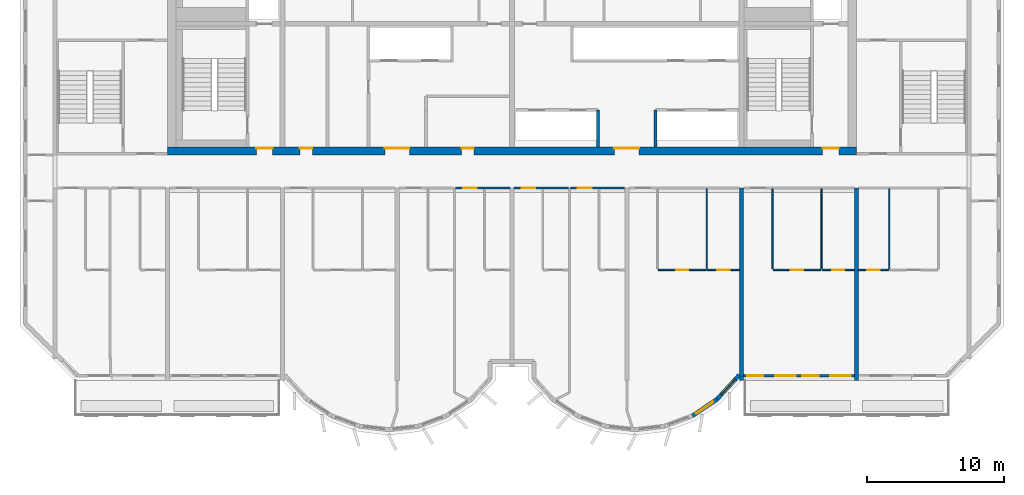
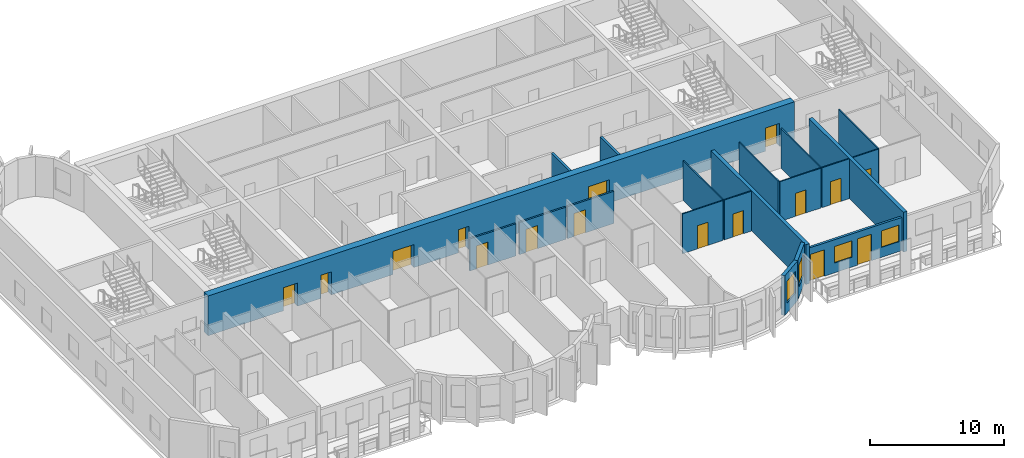
# One storey, part 5 of 11: 20 walls, 16 doors, 4 windows, 20 openings.
"""IFC4 building model written with IfcOpenShell, lengths in metres."""

from ifc_helpers import new_model, si_unit, direction, frame, frame_2d, origin, place, context, subcontext, project, spatial, rectangle, extrude, source, transform, mapped, material, layer, layer_set, type_object, element, fill, save


model = new_model("IFC4")

# Units and contexts
model_context = context("Model", 3, precision=1e-05, world=origin(), true_north=direction((0.0, 1.0)))
body_context = subcontext(model_context, "Body", "Model", "MODEL_VIEW")
ifc_project = project(units=[si_unit("LENGTHUNIT", "METRE"), si_unit("AREAUNIT", "SQUARE_METRE"), si_unit("VOLUMEUNIT", "CUBIC_METRE"), si_unit("PLANEANGLEUNIT", "RADIAN"), si_unit("MASSUNIT", "GRAM", prefix="KILO")], contexts=[model_context])

# Site, building, storey
site_placement = place(None, origin())
site = spatial("IfcSite", under=ifc_project, at=site_placement, CompositionType="ELEMENT")
building_placement = place(site_placement, origin())
building = spatial("IfcBuilding", under=site, at=building_placement, Name="Vanashikhar Sky Hotel", CompositionType="ELEMENT")
storey_placement = place(building_placement, frame((0.0, 0.0, 260.800048828125)))
storey = spatial("IfcBuildingStorey", under=building, at=storey_placement, Name="L63", CompositionType="ELEMENT", Elevation=260.800048828125)

# Wall, openings, doors
ifc_material_1 = material(Name="Concrete M60", Category="concrete")
ifc_layer_1 = layer(ifc_material_1, 0.60009765625)
ifc_layer_set_1 = layer_set([ifc_layer_1], Name="RC core shell wall 600 Concrete M60")
wall_type_1 = type_object("IfcWallType", Name="RC core shell wall 600 Concrete M60", PredefinedType="SHEAR", material=ifc_layer_set_1)
shared_shape_1 = source(origin(), body_context, "Body", "SweptSolid", [
    extrude(rectangle(XDim=50.400146484375, YDim=0.60009765625, at=frame_2d((25.2001953125, 0.0))), origin(), (0.0, 0.0, 1.0), 3.619873046875),
])
wall_1_placement = place(storey_placement, frame((25.199951171875, 22.300048828125, 0.0), z_axis=(0.0, 0.0, 1.0), x_axis=(1.0, 0.0, 0.0)))
wall_1 = element("IfcWall", 1, at=wall_1_placement, inside=storey, type_object=wall_type_1, Name="KW-L63-KS", PredefinedType="SHEAR", context=body_context, shape_type="MappedRepresentation", body=[
    mapped(shared_shape_1, transform((0.0, 0.0, 0.0), scale=1.0)),
])
shared_shape_2 = source(origin(), body_context, "Body", "SweptSolid", [
    extrude(rectangle(XDim=1.800048828125, YDim=2.10009765625, at=frame_2d((0.89990234375, 1.050048828125))), frame((0.0, 0.31005859375, 0.0), z_axis=(0.0, -1.0, 0.0), x_axis=(1.0, 0.0, 0.0)), (0.0, 0.0, 1.0), 0.6201171875),
])
opening_1_placement = place(wall_1_placement, frame((15.89990234375, 0.0, 0.0)))
opening_1 = element("IfcOpeningElement", 2, at=opening_1_placement, cuts=wall_1, Name="Opening DC-3-A", PredefinedType="OPENING", context=body_context, shape_type="MappedRepresentation", body=[
    mapped(shared_shape_2, transform((0.0, 0.0, 0.0), scale=1.0)),
])
shared_shape_3 = source(origin(), body_context, "Body", "SweptSolid", [
    extrude(rectangle(XDim=0.89990234375, YDim=2.10009765625, at=frame_2d((0.449951171875, 1.050048828125))), frame((0.0, 0.31005859375, 0.0), z_axis=(0.0, -1.0, 0.0), x_axis=(1.0, 0.0, 0.0)), (0.0, 0.0, 1.0), 0.6201171875),
])
opening_2_placement = place(wall_1_placement, frame((9.68701171875, 0.0, 0.0)))
opening_2 = element("IfcOpeningElement", 3, at=opening_2_placement, cuts=wall_1, Name="Opening DC-4-A", PredefinedType="OPENING", context=body_context, shape_type="MappedRepresentation", body=[
    mapped(shared_shape_3, transform((0.0, 0.0, 0.0), scale=1.0)),
])
opening_3_placement = place(wall_1_placement, frame((21.512939453125, 0.0, 0.0)))
opening_3 = element("IfcOpeningElement", 4, at=opening_3_placement, cuts=wall_1, Name="Opening DC-4-A", PredefinedType="OPENING", context=body_context, shape_type="MappedRepresentation", body=[
    mapped(shared_shape_3, transform((0.0, 0.0, 0.0), scale=1.0)),
])
opening_4_placement = place(wall_1_placement, frame((32.699951171875, 0.0, 0.0)))
opening_4 = element("IfcOpeningElement", 5, at=opening_4_placement, cuts=wall_1, Name="Opening DC-3-A", PredefinedType="OPENING", context=body_context, shape_type="MappedRepresentation", body=[
    mapped(shared_shape_2, transform((0.0, 0.0, 0.0), scale=1.0)),
])
shared_shape_4 = source(origin(), body_context, "Body", "SweptSolid", [
    extrude(rectangle(XDim=1.199951171875, YDim=2.10009765625, at=frame_2d((0.60009765625, 1.050048828125))), frame((0.0, 0.31005859375, 0.0), z_axis=(0.0, -1.0, 0.0), x_axis=(1.0, 0.0, 0.0)), (0.0, 0.0, 1.0), 0.6201171875),
])
opening_5_placement = place(wall_1_placement, frame((6.488037109375, 0.0, 0.0)))
opening_5 = element("IfcOpeningElement", 6, at=opening_5_placement, cuts=wall_1, Name="Opening DC-2", PredefinedType="OPENING", context=body_context, shape_type="MappedRepresentation", body=[
    mapped(shared_shape_4, transform((0.0, 0.0, 0.0), scale=1.0)),
])
opening_6_placement = place(wall_1_placement, frame((47.925048828125, 0.0, 0.0)))
opening_6 = element("IfcOpeningElement", 7, at=opening_6_placement, cuts=wall_1, Name="Opening DC-2", PredefinedType="OPENING", context=body_context, shape_type="MappedRepresentation", body=[
    mapped(shared_shape_4, transform((0.0, 0.0, 0.0), scale=1.0)),
])
ifc_material_2 = material(Name="Steel", Category="steel")
door_type_1 = type_object("IfcDoorType", Name="Firefighting lobby door 1200 FD120", OperationType="NOTDEFINED", PredefinedType="DOOR", material=ifc_material_2)
shared_shape_5 = source(origin(), body_context, "Body", "SweptSolid", [
    extrude(rectangle(XDim=1.199951171875, YDim=2.10009765625, at=frame_2d((0.60009765625, 1.050048828125))), frame((0.0, 0.22509765625, 0.0), z_axis=(0.0, -1.0, 0.0), x_axis=(1.0, 0.0, 0.0)), (0.0, 0.0, 1.0), 0.050048828125),
])
door_1_placement = place(opening_5_placement, origin())
door_1 = element("IfcDoor", 8, at=door_1_placement, inside=storey, type_object=door_type_1, Name="Firefighting lobby door 1200 FD120", OperationType="SINGLE_SWING_LEFT", OverallHeight=2.10009765625, OverallWidth=1.199951171875, PredefinedType="DOOR", context=body_context, shape_type="MappedRepresentation", body=[
    mapped(shared_shape_5, transform((0.0, 0.0, 0.0), scale=1.0)),
])
fill(opening_5, door_1)
door_2_placement = place(opening_6_placement, origin())
door_2 = element("IfcDoor", 9, at=door_2_placement, inside=storey, type_object=door_type_1, Name="Firefighting lobby door 1200 FD120", OperationType="SINGLE_SWING_LEFT", OverallHeight=2.10009765625, OverallWidth=1.199951171875, PredefinedType="DOOR", context=body_context, shape_type="MappedRepresentation", body=[
    mapped(shared_shape_5, transform((0.0, 0.0, 0.0), scale=1.0)),
])
fill(opening_6, door_2)
door_type_2 = type_object("IfcDoorType", Name="Service door 900 FD60", OperationType="NOTDEFINED", PredefinedType="DOOR", material=ifc_material_2)
shared_shape_6 = source(origin(), body_context, "Body", "SweptSolid", [
    extrude(rectangle(XDim=0.89990234375, YDim=2.10009765625, at=frame_2d((0.449951171875, 1.050048828125))), frame((0.0, 0.22509765625, 0.0), z_axis=(0.0, -1.0, 0.0), x_axis=(1.0, 0.0, 0.0)), (0.0, 0.0, 1.0), 0.050048828125),
])
door_3_placement = place(opening_2_placement, origin())
door_3 = element("IfcDoor", 10, at=door_3_placement, inside=storey, type_object=door_type_2, Name="Service door 900 FD60", OperationType="SINGLE_SWING_RIGHT", OverallHeight=2.10009765625, OverallWidth=0.89990234375, PredefinedType="DOOR", context=body_context, shape_type="MappedRepresentation", body=[
    mapped(shared_shape_6, transform((0.0, 0.0, 0.0), scale=1.0)),
])
fill(opening_2, door_3)
door_4_placement = place(opening_3_placement, origin())
door_4 = element("IfcDoor", 11, at=door_4_placement, inside=storey, type_object=door_type_2, Name="Service door 900 FD60", OperationType="SINGLE_SWING_LEFT", OverallHeight=2.10009765625, OverallWidth=0.89990234375, PredefinedType="DOOR", context=body_context, shape_type="MappedRepresentation", body=[
    mapped(shared_shape_6, transform((0.0, 0.0, 0.0), scale=1.0)),
])
fill(opening_3, door_4)
ifc_material_3 = material(Name="Glass", Category="glass")
door_type_3 = type_object("IfcDoorType", Name="Lift lobby entrance door 1800 FD30S", OperationType="NOTDEFINED", PredefinedType="DOOR", material=ifc_material_3)
shared_shape_7 = source(origin(), body_context, "Body", "SweptSolid", [
    extrude(rectangle(XDim=1.800048828125, YDim=2.10009765625, at=frame_2d((0.89990234375, 1.050048828125))), frame((0.0, 0.22509765625, 0.0), z_axis=(0.0, -1.0, 0.0), x_axis=(1.0, 0.0, 0.0)), (0.0, 0.0, 1.0), 0.050048828125),
])
door_5_placement = place(opening_1_placement, origin())
door_5 = element("IfcDoor", 12, at=door_5_placement, inside=storey, type_object=door_type_3, Name="Lift lobby entrance door 1800 FD30S", OperationType="DOUBLE_DOOR_SINGLE_SWING", OverallHeight=2.10009765625, OverallWidth=1.800048828125, PredefinedType="DOOR", context=body_context, shape_type="MappedRepresentation", body=[
    mapped(shared_shape_7, transform((0.0, 0.0, 0.0), scale=1.0)),
])
fill(opening_1, door_5)
door_6_placement = place(opening_4_placement, origin())
door_6 = element("IfcDoor", 13, at=door_6_placement, inside=storey, type_object=door_type_3, Name="Lift lobby entrance door 1800 FD30S", OperationType="DOUBLE_DOOR_SINGLE_SWING", OverallHeight=2.10009765625, OverallWidth=1.800048828125, PredefinedType="DOOR", context=body_context, shape_type="MappedRepresentation", body=[
    mapped(shared_shape_7, transform((0.0, 0.0, 0.0), scale=1.0)),
])
fill(opening_4, door_6)

# Walls
ifc_layer_2 = layer(ifc_material_1, 0.300048828125)
ifc_layer_set_2 = layer_set([ifc_layer_2], Name="RC shear wall 300 Concrete M60")
wall_type_2 = type_object("IfcWallType", Name="RC shear wall 300 Concrete M60", PredefinedType="SHEAR", material=ifc_layer_set_2)
shared_shape_8 = source(origin(), body_context, "Body", "SweptSolid", [
    extrude(rectangle(XDim=14.10009765625, YDim=0.300048828125, at=frame_2d((7.050048828125, 0.0))), origin(), (0.0, 0.0, 1.0), 3.619873046875),
])
for number, where, z_axis, x_axis, name in (
    (14, (67.199951171875, 5.5, 0.0), (0.0, 0.0, 1.0), (0.0, 1.0, 0.0), "CW-L63-XW09-1"),
    (15, (75.60009765625, 5.5, 0.0), (0.0, 0.0, 1.0), (0.0, 1.0, 0.0), "CW-L63-XW10-1"),
):
    element("IfcWall", number, at=place(storey_placement, frame(where, z_axis=z_axis, x_axis=x_axis)), inside=storey, type_object=wall_type_2, Name=name, PredefinedType="SHEAR", context=body_context, shape_type="MappedRepresentation", body=[
        mapped(shared_shape_8, transform((0.0, 0.0, 0.0), scale=1.0)),
    ])

# Wall, openings, windows, doors
ifc_material_4 = material(Name="Concrete M50", Category="concrete")
ifc_layer_3 = layer(ifc_material_4, 0.199951171875)
ifc_layer_set_3 = layer_set([ifc_layer_3], Name="Front window wall 200")
wall_type_3 = type_object("IfcWallType", Name="Front window wall 200", PredefinedType="SOLIDWALL", material=ifc_layer_set_3)
shared_shape_9 = source(origin(), body_context, "Body", "SweptSolid", [
    extrude(rectangle(XDim=8.099853515625, YDim=0.199951171875, at=frame_2d((4.0498046875, 0.0))), origin(), (0.0, 0.0, 1.0), 3.02001953125),
])
wall_2_placement = place(storey_placement, frame((67.35009765625, 5.85009765625, 0.0), z_axis=(0.0, 0.0, 1.0), x_axis=(1.0, 0.0, 0.0)))
wall_2 = element("IfcWall", 16, at=wall_2_placement, inside=storey, type_object=wall_type_3, Name="Front window wall", PredefinedType="SOLIDWALL", context=body_context, shape_type="MappedRepresentation", body=[
    mapped(shared_shape_9, transform((0.0, 0.0, 0.0), scale=1.0)),
])
shared_shape_10 = source(origin(), body_context, "Body", "SweptSolid", [
    extrude(rectangle(XDim=1.199951171875, YDim=2.39990234375, at=frame_2d((0.60009765625, 1.199951171875))), frame((0.0, 0.10986328125, 0.0), z_axis=(0.0, -1.0, 0.0), x_axis=(1.0, 0.0, 0.0)), (0.0, 0.0, 1.0), 0.219970703125),
])
opening_7_placement = place(wall_2_placement, frame((0.25, 0.0, 0.0)))
opening_7 = element("IfcOpeningElement", 17, at=opening_7_placement, cuts=wall_2, Name="Opening BD-03", PredefinedType="OPENING", context=body_context, shape_type="MappedRepresentation", body=[
    mapped(shared_shape_10, transform((0.0, 0.0, 0.0), scale=1.0)),
])
shared_shape_11 = source(origin(), body_context, "Body", "SweptSolid", [
    extrude(rectangle(XDim=1.5, YDim=1.5, at=frame_2d((0.75, 0.75))), frame((0.0, 0.10986328125, 0.0), z_axis=(0.0, -1.0, 0.0), x_axis=(1.0, 0.0, 0.0)), (0.0, 0.0, 1.0), 0.219970703125),
])
opening_8_placement = place(wall_2_placement, frame((2.300048828125, 0.0, 0.89990234375)))
opening_8 = element("IfcOpeningElement", 18, at=opening_8_placement, cuts=wall_2, Name="Opening WN-1", PredefinedType="OPENING", context=body_context, shape_type="MappedRepresentation", body=[
    mapped(shared_shape_11, transform((0.0, 0.0, 0.0), scale=1.0)),
])
opening_9_placement = place(wall_2_placement, frame((4.300048828125, 0.0, 0.0)))
opening_9 = element("IfcOpeningElement", 19, at=opening_9_placement, cuts=wall_2, Name="Opening BD-04", PredefinedType="OPENING", context=body_context, shape_type="MappedRepresentation", body=[
    mapped(shared_shape_10, transform((0.0, 0.0, 0.0), scale=1.0)),
])
opening_10_placement = place(wall_2_placement, frame((6.35009765625, 0.0, 0.89990234375)))
opening_10 = element("IfcOpeningElement", 20, at=opening_10_placement, cuts=wall_2, Name="Opening WN-1", PredefinedType="OPENING", context=body_context, shape_type="MappedRepresentation", body=[
    mapped(shared_shape_11, transform((0.0, 0.0, 0.0), scale=1.0)),
])
window_type_1 = type_object("IfcWindowType", Name="Window 1500 x 1500", PartitioningType="SINGLE_PANEL", PredefinedType="WINDOW", material=ifc_material_3)
shared_shape_12 = source(origin(), body_context, "Body", "SweptSolid", [
    extrude(rectangle(XDim=1.5, YDim=1.5, at=frame_2d((0.75, 0.75))), frame((0.0, 0.030029296875, 0.0), z_axis=(0.0, -1.0, 0.0), x_axis=(1.0, 0.0, 0.0)), (0.0, 0.0, 1.0), 0.06005859375),
])
window_1_placement = place(opening_8_placement, origin())
window_1 = element("IfcWindow", 21, at=window_1_placement, inside=storey, type_object=window_type_1, Name="Window WN-1", OverallHeight=1.5, OverallWidth=1.5, PartitioningType="SINGLE_PANEL", PredefinedType="WINDOW", context=body_context, shape_type="MappedRepresentation", body=[
    mapped(shared_shape_12, transform((0.0, 0.0, 0.0), scale=1.0)),
])
fill(opening_8, window_1)
window_2_placement = place(opening_10_placement, origin())
window_2 = element("IfcWindow", 22, at=window_2_placement, inside=storey, type_object=window_type_1, Name="Window WN-1", OverallHeight=1.5, OverallWidth=1.5, PartitioningType="SINGLE_PANEL", PredefinedType="WINDOW", context=body_context, shape_type="MappedRepresentation", body=[
    mapped(shared_shape_12, transform((0.0, 0.0, 0.0), scale=1.0)),
])
fill(opening_10, window_2)
ifc_material_5 = material(Name="Aluminium", Category="aluminium")
door_type_4 = type_object("IfcDoorType", Name="Balcony sliding door 1200 x 2400", OperationType="NOTDEFINED", PredefinedType="DOOR", material=ifc_material_5)
shared_shape_13 = source(origin(), body_context, "Body", "SweptSolid", [
    extrude(rectangle(XDim=1.199951171875, YDim=2.39990234375, at=frame_2d((0.60009765625, 1.199951171875))), frame((0.0, 0.02490234375, 0.0), z_axis=(0.0, -1.0, 0.0), x_axis=(1.0, 0.0, 0.0)), (0.0, 0.0, 1.0), 0.050048828125),
])
door_7_placement = place(opening_7_placement, origin())
door_7 = element("IfcDoor", 23, at=door_7_placement, inside=storey, type_object=door_type_4, Name="Balcony sliding door", OperationType="SLIDING_TO_LEFT", OverallHeight=2.39990234375, OverallWidth=1.199951171875, PredefinedType="DOOR", context=body_context, shape_type="MappedRepresentation", body=[
    mapped(shared_shape_13, transform((0.0, 0.0, 0.0), scale=1.0)),
])
fill(opening_7, door_7)
door_8_placement = place(opening_9_placement, origin())
door_8 = element("IfcDoor", 24, at=door_8_placement, inside=storey, type_object=door_type_4, Name="Balcony sliding door", OperationType="SLIDING_TO_RIGHT", OverallHeight=2.39990234375, OverallWidth=1.199951171875, PredefinedType="DOOR", context=body_context, shape_type="MappedRepresentation", body=[
    mapped(shared_shape_13, transform((0.0, 0.0, 0.0), scale=1.0)),
])
fill(opening_9, door_8)

# Wall, opening, window
ifc_layer_4 = layer(ifc_material_4, 0.300048828125)
ifc_layer_set_4 = layer_set([ifc_layer_4], Name="Lobe wall 300")
wall_type_4 = type_object("IfcWallType", Name="Lobe wall 300", PredefinedType="SOLIDWALL", material=ifc_layer_set_4)
shared_shape_14 = source(origin(), body_context, "Body", "SweptSolid", [
    extrude(rectangle(XDim=2.398193359375, YDim=0.300048828125, at=frame_2d((1.19921875, 0.0))), origin(), (0.0, 0.0, 1.0), 3.619873046875),
])
wall_3_placement = place(storey_placement, frame((65.404296875, 4.13134765625, 0.0), z_axis=(0.0, 0.0, 1.0), x_axis=(0.675374189419, 0.737475222815, 0.0)))
wall_3 = element("IfcWall", 25, at=wall_3_placement, inside=storey, type_object=wall_type_4, Name="Lobe wall", PredefinedType="SOLIDWALL", context=body_context, shape_type="MappedRepresentation", body=[
    mapped(shared_shape_14, transform((0.0, 0.0, 0.0), scale=1.0)),
])
shared_shape_15 = source(origin(), body_context, "Body", "SweptSolid", [
    extrude(rectangle(XDim=1.5, YDim=2.0, at=frame_2d((0.75, 1.0))), frame((0.0, 0.16015625, 0.0), z_axis=(0.0, -1.0, 0.0), x_axis=(1.0, 0.0, 0.0)), (0.0, 0.0, 1.0), 0.320068359375),
])
opening_11_placement = place(wall_3_placement, frame((0.44921875, 0.0, 0.89990234375)))
opening_11 = element("IfcOpeningElement", 26, at=opening_11_placement, cuts=wall_3, Name="Opening WN-2", PredefinedType="OPENING", context=body_context, shape_type="MappedRepresentation", body=[
    mapped(shared_shape_15, transform((0.0, 0.0, 0.0), scale=1.0)),
])
window_type_2 = type_object("IfcWindowType", Name="Lobe window 1500 x 2000", PartitioningType="SINGLE_PANEL", PredefinedType="WINDOW", material=ifc_material_3)
shared_shape_16 = source(origin(), body_context, "Body", "SweptSolid", [
    extrude(rectangle(XDim=1.5, YDim=2.0, at=frame_2d((0.75, 1.0))), frame((0.0, 0.030029296875, 0.0), z_axis=(0.0, -1.0, 0.0), x_axis=(1.0, 0.0, 0.0)), (0.0, 0.0, 1.0), 0.06005859375),
])
window_3_placement = place(opening_11_placement, origin())
window_3 = element("IfcWindow", 27, at=window_3_placement, inside=storey, type_object=window_type_2, Name="Window WN-2", OverallHeight=2.0, OverallWidth=1.5, PartitioningType="SINGLE_PANEL", PredefinedType="WINDOW", context=body_context, shape_type="MappedRepresentation", body=[
    mapped(shared_shape_16, transform((0.0, 0.0, 0.0), scale=1.0)),
])
fill(opening_11, window_3)

shared_shape_17 = source(origin(), body_context, "Body", "SweptSolid", [
    extrude(rectangle(XDim=2.17578125, YDim=0.300048828125, at=frame_2d((1.087890625, 0.0))), origin(), (0.0, 0.0, 1.0), 3.619873046875),
])
wall_4_placement = place(storey_placement, frame((63.59912109375, 2.91650390625, 0.0), z_axis=(0.0, 0.0, 1.0), x_axis=(0.829625727223, 0.558319937607, 0.0)))
wall_4 = element("IfcWall", 28, at=wall_4_placement, inside=storey, type_object=wall_type_4, Name="Lobe wall", PredefinedType="SOLIDWALL", context=body_context, shape_type="MappedRepresentation", body=[
    mapped(shared_shape_17, transform((0.0, 0.0, 0.0), scale=1.0)),
])
opening_12_placement = place(wall_4_placement, frame((0.337890625, 0.0, 0.89990234375)))
opening_12 = element("IfcOpeningElement", 29, at=opening_12_placement, cuts=wall_4, Name="Opening WN-2", PredefinedType="OPENING", context=body_context, shape_type="MappedRepresentation", body=[
    mapped(shared_shape_15, transform((0.0, 0.0, 0.0), scale=1.0)),
])
window_4_placement = place(opening_12_placement, origin())
window_4 = element("IfcWindow", 30, at=window_4_placement, inside=storey, type_object=window_type_2, Name="Window WN-2", OverallHeight=2.0, OverallWidth=1.5, PartitioningType="SINGLE_PANEL", PredefinedType="WINDOW", context=body_context, shape_type="MappedRepresentation", body=[
    mapped(shared_shape_16, transform((0.0, 0.0, 0.0), scale=1.0)),
])
fill(opening_12, window_4)

# Walls
ifc_material_6 = material(Name="Concrete M40", Category="concrete")
ifc_layer_5 = layer(ifc_material_6, 0.199951171875)
ifc_layer_set_5 = layer_set([ifc_layer_5], Name="Shaft wall 200")
wall_type_5 = type_object("IfcWallType", Name="Shaft wall 200", PredefinedType="SOLIDWALL", material=ifc_layer_set_5)
shared_shape_18 = source(origin(), body_context, "Body", "SweptSolid", [
    extrude(rectangle(XDim=2.699951171875, YDim=0.199951171875, at=frame_2d((1.35009765625, 0.0))), origin(), (0.0, 0.0, 1.0), 3.619873046875),
])
for number, where, z_axis, x_axis, name in (
    (31, (60.89990234375, 22.60009765625, 0.0), (0.0, 0.0, 1.0), (0.0, 1.0, 0.0), "Shaft wall 200"),
    (32, (56.699951171875, 22.60009765625, 0.0), (0.0, 0.0, 1.0), (0.0, 1.0, 0.0), "Shaft wall 200"),
):
    element("IfcWall", number, at=place(storey_placement, frame(where, z_axis=z_axis, x_axis=x_axis)), inside=storey, type_object=wall_type_5, Name=name, PredefinedType="SOLIDWALL", context=body_context, shape_type="MappedRepresentation", body=[
        mapped(shared_shape_18, transform((0.0, 0.0, 0.0), scale=1.0)),
    ])

# Wall, opening, door
ifc_material_7 = material(Name="Gypsum plasterboard partition")
ifc_layer_6 = layer(ifc_material_7, 0.14990234375)
ifc_layer_set_6 = layer_set([ifc_layer_6], Name="Corridor and demising partition 150")
wall_type_6 = type_object("IfcWallType", Name="Corridor and demising partition 150", PredefinedType="PARTITIONING", material=ifc_layer_set_6)
shared_shape_19 = source(origin(), body_context, "Body", "SweptSolid", [
    extrude(rectangle(XDim=3.97509765625, YDim=0.14990234375, at=frame_2d((1.987548828125, 0.0))), origin(), (0.0, 0.0, 1.0), 2.919921875),
])
wall_5_placement = place(storey_placement, frame((46.27490234375, 19.60009765625, 0.0), z_axis=(0.0, 0.0, 1.0), x_axis=(1.0, 0.0, 0.0)))
wall_5 = element("IfcWall", 33, at=wall_5_placement, inside=storey, type_object=wall_type_6, Name="W-L63-PW023", PredefinedType="PARTITIONING", context=body_context, shape_type="MappedRepresentation", body=[
    mapped(shared_shape_19, transform((0.0, 0.0, 0.0), scale=1.0)),
])
shared_shape_20 = source(origin(), body_context, "Body", "SweptSolid", [
    extrude(rectangle(XDim=1.0, YDim=2.10009765625, at=frame_2d((0.5, 1.050048828125))), frame((0.0, 0.0849609375, 0.0), z_axis=(0.0, -1.0, 0.0), x_axis=(1.0, 0.0, 0.0)), (0.0, 0.0, 1.0), 0.169921875),
])
opening_13_placement = place(wall_5_placement, frame((0.550048828125, 0.0, 0.0)))
opening_13 = element("IfcOpeningElement", 34, at=opening_13_placement, cuts=wall_5, Name="Opening D-01", PredefinedType="OPENING", context=body_context, shape_type="MappedRepresentation", body=[
    mapped(shared_shape_20, transform((0.0, 0.0, 0.0), scale=1.0)),
])
ifc_material_8 = material(Name="Timber fire door", Category="wood")
door_type_5 = type_object("IfcDoorType", Name="Guest entry door 1000 FD30S", OperationType="NOTDEFINED", PredefinedType="DOOR", material=ifc_material_8)
shared_shape_21 = source(origin(), body_context, "Body", "SweptSolid", [
    extrude(rectangle(XDim=1.0, YDim=2.10009765625, at=frame_2d((0.5, 1.050048828125))), frame((0.0, 0.02490234375, 0.0), z_axis=(0.0, -1.0, 0.0), x_axis=(1.0, 0.0, 0.0)), (0.0, 0.0, 1.0), 0.050048828125),
])
door_9_placement = place(opening_13_placement, origin())
door_9 = element("IfcDoor", 35, at=door_9_placement, inside=storey, type_object=door_type_5, Name="D-L63-014", OperationType="SINGLE_SWING_LEFT", OverallHeight=2.10009765625, OverallWidth=1.0, PredefinedType="DOOR", context=body_context, shape_type="MappedRepresentation", body=[
    mapped(shared_shape_21, transform((0.0, 0.0, 0.0), scale=1.0)),
])
fill(opening_13, door_9)

shared_shape_22 = source(origin(), body_context, "Body", "SweptSolid", [
    extrude(rectangle(XDim=3.974853515625, YDim=0.14990234375, at=frame_2d((1.9873046875, 0.0))), origin(), (0.0, 0.0, 1.0), 2.919921875),
])
wall_6_placement = place(storey_placement, frame((50.550048828125, 19.60009765625, 0.0), z_axis=(0.0, 0.0, 1.0), x_axis=(1.0, 0.0, 0.0)))
wall_6 = element("IfcWall", 36, at=wall_6_placement, inside=storey, type_object=wall_type_6, Name="W-L63-PW027", PredefinedType="PARTITIONING", context=body_context, shape_type="MappedRepresentation", body=[
    mapped(shared_shape_22, transform((0.0, 0.0, 0.0), scale=1.0)),
])
opening_14_placement = place(wall_6_placement, frame((0.550048828125, 0.0, 0.0)))
opening_14 = element("IfcOpeningElement", 37, at=opening_14_placement, cuts=wall_6, Name="Opening D-01", PredefinedType="OPENING", context=body_context, shape_type="MappedRepresentation", body=[
    mapped(shared_shape_20, transform((0.0, 0.0, 0.0), scale=1.0)),
])
door_10_placement = place(opening_14_placement, origin())
door_10 = element("IfcDoor", 38, at=door_10_placement, inside=storey, type_object=door_type_5, Name="D-L63-016", OperationType="SINGLE_SWING_LEFT", OverallHeight=2.10009765625, OverallWidth=1.0, PredefinedType="DOOR", context=body_context, shape_type="MappedRepresentation", body=[
    mapped(shared_shape_21, transform((0.0, 0.0, 0.0), scale=1.0)),
])
fill(opening_14, door_10)

wall_7_placement = place(storey_placement, frame((54.675048828125, 19.60009765625, 0.0), z_axis=(0.0, 0.0, 1.0), x_axis=(1.0, 0.0, 0.0)))
wall_7 = element("IfcWall", 39, at=wall_7_placement, inside=storey, type_object=wall_type_6, Name="W-L63-PW030", PredefinedType="PARTITIONING", context=body_context, shape_type="MappedRepresentation", body=[
    mapped(shared_shape_22, transform((0.0, 0.0, 0.0), scale=1.0)),
])
opening_15_placement = place(wall_7_placement, frame((0.550048828125, 0.0, 0.0)))
opening_15 = element("IfcOpeningElement", 40, at=opening_15_placement, cuts=wall_7, Name="Opening D-01", PredefinedType="OPENING", context=body_context, shape_type="MappedRepresentation", body=[
    mapped(shared_shape_20, transform((0.0, 0.0, 0.0), scale=1.0)),
])
door_11_placement = place(opening_15_placement, origin())
door_11 = element("IfcDoor", 41, at=door_11_placement, inside=storey, type_object=door_type_5, Name="D-L63-018", OperationType="SINGLE_SWING_LEFT", OverallHeight=2.10009765625, OverallWidth=1.0, PredefinedType="DOOR", context=body_context, shape_type="MappedRepresentation", body=[
    mapped(shared_shape_21, transform((0.0, 0.0, 0.0), scale=1.0)),
])
fill(opening_15, door_11)

ifc_layer_7 = layer(ifc_material_7, 0.10009765625)
ifc_layer_set_7 = layer_set([ifc_layer_7], Name="Wet room partition 100")
wall_type_7 = type_object("IfcWallType", Name="Wet room partition 100", PredefinedType="PARTITIONING", material=ifc_layer_set_7)
shared_shape_23 = source(origin(), body_context, "Body", "SweptSolid", [
    extrude(rectangle(XDim=3.5, YDim=0.10009765625, at=frame_2d((1.75, 0.0))), origin(), (0.0, 0.0, 1.0), 3.619873046875),
])
wall_8_placement = place(storey_placement, frame((61.10009765625, 13.60009765625, 0.0), z_axis=(0.0, 0.0, 1.0), x_axis=(1.0, 0.0, 0.0)))
wall_8 = element("IfcWall", 42, at=wall_8_placement, inside=storey, type_object=wall_type_7, Name="W-L63-PW034", PredefinedType="PARTITIONING", context=body_context, shape_type="MappedRepresentation", body=[
    mapped(shared_shape_23, transform((0.0, 0.0, 0.0), scale=1.0)),
])
shared_shape_24 = source(origin(), body_context, "Body", "SweptSolid", [
    extrude(rectangle(XDim=0.89990234375, YDim=2.10009765625, at=frame_2d((0.449951171875, 1.050048828125))), frame((0.0, 0.06005859375, 0.0), z_axis=(0.0, -1.0, 0.0), x_axis=(1.0, 0.0, 0.0)), (0.0, 0.0, 1.0), 0.1201171875),
])
opening_16_placement = place(wall_8_placement, frame((1.300048828125, 0.0, 0.0)))
opening_16 = element("IfcOpeningElement", 43, at=opening_16_placement, cuts=wall_8, Name="Opening D-02", PredefinedType="OPENING", context=body_context, shape_type="MappedRepresentation", body=[
    mapped(shared_shape_24, transform((0.0, 0.0, 0.0), scale=1.0)),
])
ifc_material_9 = material(Name="Timber door", Category="wood")
door_type_6 = type_object("IfcDoorType", Name="Internal door 900", OperationType="NOTDEFINED", PredefinedType="DOOR", material=ifc_material_9)
shared_shape_25 = source(origin(), body_context, "Body", "SweptSolid", [
    extrude(rectangle(XDim=0.89990234375, YDim=2.10009765625, at=frame_2d((0.449951171875, 1.050048828125))), frame((0.0, 0.02490234375, 0.0), z_axis=(0.0, -1.0, 0.0), x_axis=(1.0, 0.0, 0.0)), (0.0, 0.0, 1.0), 0.050048828125),
])
door_12_placement = place(opening_16_placement, origin())
door_12 = element("IfcDoor", 44, at=door_12_placement, inside=storey, type_object=door_type_6, Name="D-L63-019", OperationType="SINGLE_SWING_LEFT", OverallHeight=2.10009765625, OverallWidth=0.89990234375, PredefinedType="DOOR", context=body_context, shape_type="MappedRepresentation", body=[
    mapped(shared_shape_25, transform((0.0, 0.0, 0.0), scale=1.0)),
])
fill(opening_16, door_12)

wall_9_placement = place(storey_placement, frame((69.5, 13.60009765625, 0.0), z_axis=(0.0, 0.0, 1.0), x_axis=(1.0, 0.0, 0.0)))
wall_9 = element("IfcWall", 45, at=wall_9_placement, inside=storey, type_object=wall_type_7, Name="W-L63-PW039", PredefinedType="PARTITIONING", context=body_context, shape_type="MappedRepresentation", body=[
    mapped(shared_shape_23, transform((0.0, 0.0, 0.0), scale=1.0)),
])
opening_17_placement = place(wall_9_placement, frame((1.300048828125, 0.0, 0.0)))
opening_17 = element("IfcOpeningElement", 46, at=opening_17_placement, cuts=wall_9, Name="Opening D-02", PredefinedType="OPENING", context=body_context, shape_type="MappedRepresentation", body=[
    mapped(shared_shape_24, transform((0.0, 0.0, 0.0), scale=1.0)),
])
door_13_placement = place(opening_17_placement, origin())
door_13 = element("IfcDoor", 47, at=door_13_placement, inside=storey, type_object=door_type_6, Name="D-L63-022", OperationType="SINGLE_SWING_LEFT", OverallHeight=2.10009765625, OverallWidth=0.89990234375, PredefinedType="DOOR", context=body_context, shape_type="MappedRepresentation", body=[
    mapped(shared_shape_25, transform((0.0, 0.0, 0.0), scale=1.0)),
])
fill(opening_17, door_13)

# Walls
shared_shape_26 = source(origin(), body_context, "Body", "SweptSolid", [
    extrude(rectangle(XDim=5.849853515625, YDim=0.10009765625, at=frame_2d((2.9248046875, 0.0))), origin(), (0.0, 0.0, 1.0), 3.619873046875),
])
for number, where, z_axis, x_axis, name in (
    (48, (64.64990234375, 13.675048828125, 0.0), (0.0, 0.0, 1.0), (0.0, 1.0, 0.0), "W-L63-PW033"),
    (49, (69.449951171875, 13.675048828125, 0.0), (0.0, 0.0, 1.0), (0.0, 1.0, 0.0), "W-L63-PW037"),
    (50, (73.050048828125, 13.675048828125, 0.0), (0.0, 0.0, 1.0), (0.0, 1.0, 0.0), "W-L63-PW038"),
    (51, (78.0, 13.675048828125, 0.0), (0.0, 0.0, 1.0), (0.0, 1.0, 0.0), "W-L63-PW043"),
):
    element("IfcWall", number, at=place(storey_placement, frame(where, z_axis=z_axis, x_axis=x_axis)), inside=storey, type_object=wall_type_7, Name=name, PredefinedType="PARTITIONING", context=body_context, shape_type="MappedRepresentation", body=[
        mapped(shared_shape_26, transform((0.0, 0.0, 0.0), scale=1.0)),
    ])

# Wall, opening, door
shared_shape_27 = source(origin(), body_context, "Body", "SweptSolid", [
    extrude(rectangle(XDim=2.349853515625, YDim=0.10009765625, at=frame_2d((1.1748046875, 0.0))), origin(), (0.0, 0.0, 1.0), 3.619873046875),
])
wall_10_placement = place(storey_placement, frame((73.10009765625, 13.60009765625, 0.0), z_axis=(0.0, 0.0, 1.0), x_axis=(1.0, 0.0, 0.0)))
wall_10 = element("IfcWall", 52, at=wall_10_placement, inside=storey, type_object=wall_type_7, Name="W-L63-PW040", PredefinedType="PARTITIONING", context=body_context, shape_type="MappedRepresentation", body=[
    mapped(shared_shape_27, transform((0.0, 0.0, 0.0), scale=1.0)),
])
opening_18_placement = place(wall_10_placement, frame((0.72509765625, 0.0, 0.0)))
opening_18 = element("IfcOpeningElement", 53, at=opening_18_placement, cuts=wall_10, Name="Opening D-02", PredefinedType="OPENING", context=body_context, shape_type="MappedRepresentation", body=[
    mapped(shared_shape_24, transform((0.0, 0.0, 0.0), scale=1.0)),
])
door_14_placement = place(opening_18_placement, origin())
door_14 = element("IfcDoor", 54, at=door_14_placement, inside=storey, type_object=door_type_6, Name="D-L63-023", OperationType="SINGLE_SWING_LEFT", OverallHeight=2.10009765625, OverallWidth=0.89990234375, PredefinedType="DOOR", context=body_context, shape_type="MappedRepresentation", body=[
    mapped(shared_shape_25, transform((0.0, 0.0, 0.0), scale=1.0)),
])
fill(opening_18, door_14)

shared_shape_28 = source(origin(), body_context, "Body", "SweptSolid", [
    extrude(rectangle(XDim=2.35009765625, YDim=0.10009765625, at=frame_2d((1.175048828125, 0.0))), origin(), (0.0, 0.0, 1.0), 3.619873046875),
])
wall_11_placement = place(storey_placement, frame((64.699951171875, 13.60009765625, 0.0), z_axis=(0.0, 0.0, 1.0), x_axis=(1.0, 0.0, 0.0)))
wall_11 = element("IfcWall", 55, at=wall_11_placement, inside=storey, type_object=wall_type_7, Name="W-L63-PW035", PredefinedType="PARTITIONING", context=body_context, shape_type="MappedRepresentation", body=[
    mapped(shared_shape_28, transform((0.0, 0.0, 0.0), scale=1.0)),
])
opening_19_placement = place(wall_11_placement, frame((0.72509765625, 0.0, 0.0)))
opening_19 = element("IfcOpeningElement", 56, at=opening_19_placement, cuts=wall_11, Name="Opening D-02", PredefinedType="OPENING", context=body_context, shape_type="MappedRepresentation", body=[
    mapped(shared_shape_24, transform((0.0, 0.0, 0.0), scale=1.0)),
])
door_15_placement = place(opening_19_placement, origin())
door_15 = element("IfcDoor", 57, at=door_15_placement, inside=storey, type_object=door_type_6, Name="D-L63-020", OperationType="SINGLE_SWING_LEFT", OverallHeight=2.10009765625, OverallWidth=0.89990234375, PredefinedType="DOOR", context=body_context, shape_type="MappedRepresentation", body=[
    mapped(shared_shape_25, transform((0.0, 0.0, 0.0), scale=1.0)),
])
fill(opening_19, door_15)

shared_shape_29 = source(origin(), body_context, "Body", "SweptSolid", [
    extrude(rectangle(XDim=2.199951171875, YDim=0.10009765625, at=frame_2d((1.10009765625, 0.0))), origin(), (0.0, 0.0, 1.0), 3.619873046875),
])
wall_12_placement = place(storey_placement, frame((75.75, 13.60009765625, 0.0), z_axis=(0.0, 0.0, 1.0), x_axis=(1.0, 0.0, 0.0)))
wall_12 = element("IfcWall", 58, at=wall_12_placement, inside=storey, type_object=wall_type_7, Name="W-L63-PW045", PredefinedType="PARTITIONING", context=body_context, shape_type="MappedRepresentation", body=[
    mapped(shared_shape_29, transform((0.0, 0.0, 0.0), scale=1.0)),
])
opening_20_placement = place(wall_12_placement, frame((0.64990234375, 0.0, 0.0)))
opening_20 = element("IfcOpeningElement", 59, at=opening_20_placement, cuts=wall_12, Name="Opening D-02", PredefinedType="OPENING", context=body_context, shape_type="MappedRepresentation", body=[
    mapped(shared_shape_24, transform((0.0, 0.0, 0.0), scale=1.0)),
])
door_16_placement = place(opening_20_placement, origin())
door_16 = element("IfcDoor", 60, at=door_16_placement, inside=storey, type_object=door_type_6, Name="D-L63-026", OperationType="SINGLE_SWING_RIGHT", OverallHeight=2.10009765625, OverallWidth=0.89990234375, PredefinedType="DOOR", context=body_context, shape_type="MappedRepresentation", body=[
    mapped(shared_shape_25, transform((0.0, 0.0, 0.0), scale=1.0)),
])
fill(opening_20, door_16)

save(model, "model.ifc")
